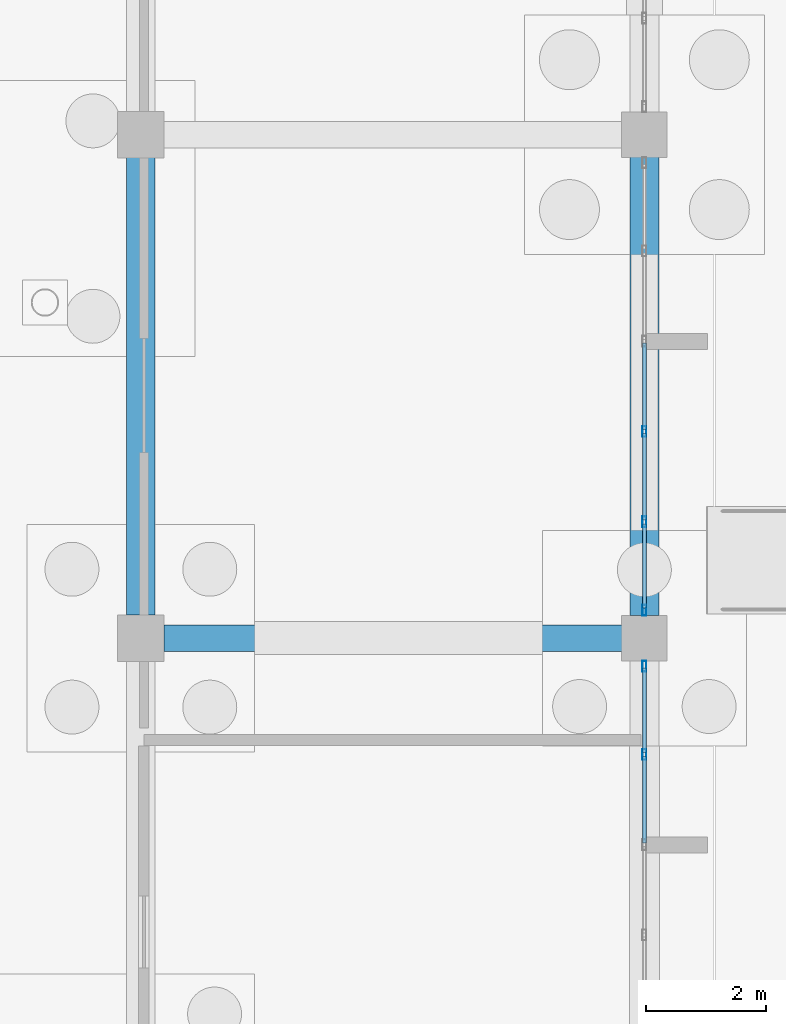
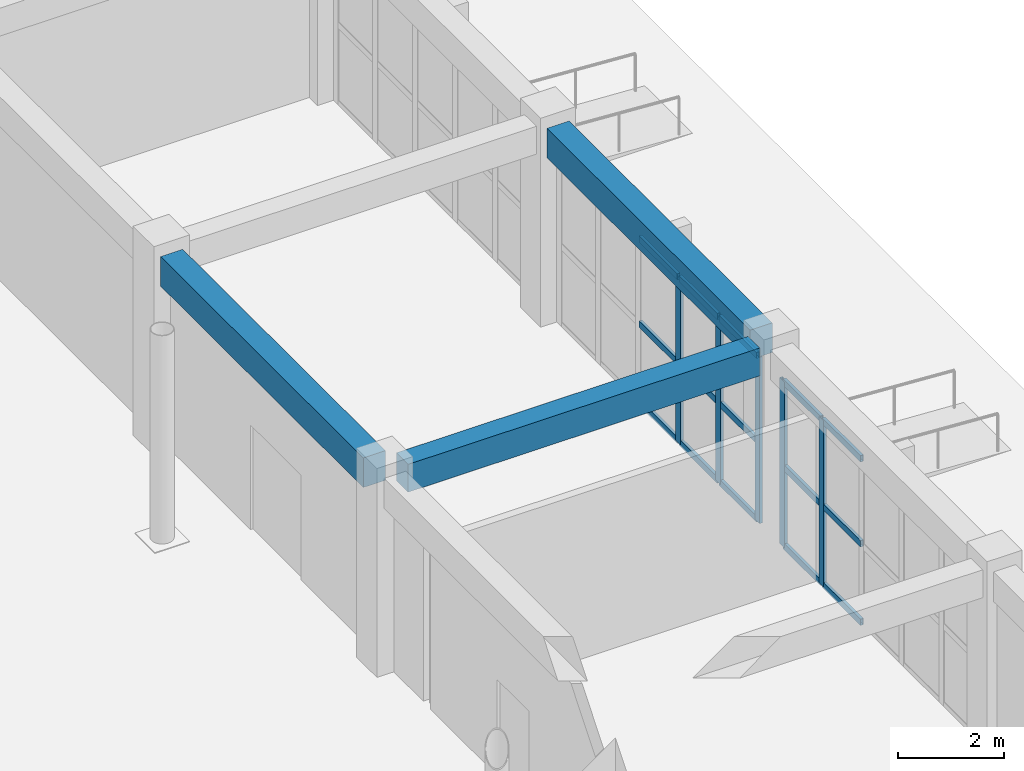
# One storey, part 128 of 192: 20 members, 3 beams, 2 elements without a shape of their own.
"""IFC4 building model written with IfcOpenShell, lengths in metres."""

from ifc_helpers import new_model, si_unit, direction, frame, origin, origin_2d, place, context, subcontext, project, spatial, rectangle, hollow_rectangle, extrude, material, layer, layer_set, material_profile, profile_set, type_object, element, aggregate, save


model = new_model("IFC4")

# Units and contexts
model_context = context("Model", 3, precision=1e-05, world=origin(), true_north=direction((0.0, 1.0)))
body_context = subcontext(model_context, "Body", "Model", "MODEL_VIEW")
ifc_project = project(units=[si_unit("LENGTHUNIT", "METRE"), si_unit("AREAUNIT", "SQUARE_METRE"), si_unit("VOLUMEUNIT", "CUBIC_METRE"), si_unit("PLANEANGLEUNIT", "RADIAN"), si_unit("MASSUNIT", "GRAM", prefix="KILO")], contexts=[model_context])

# Site, building, storey
site_placement = place(None, origin())
site = spatial("IfcSite", under=ifc_project, at=site_placement, CompositionType="ELEMENT")
building_placement = place(site_placement, origin())
building = spatial("IfcBuilding", under=site, at=building_placement, Name="Trelvath General Hospital", CompositionType="ELEMENT")
storey_placement = place(building_placement, origin())
storey = spatial("IfcBuildingStorey", under=building, at=storey_placement, Name="L00", CompositionType="ELEMENT", Elevation=0.0)

# Beams
ifc_material_1 = material(Name="Concrete C35/45", Category="concrete")
ifc_material_profile_1 = material_profile(ifc_material_1, rectangle(XDim=0.43994140625, YDim=0.639892578125, at=origin_2d()), Name="RCB440x640")
ifc_profile_set_1 = profile_set([ifc_material_profile_1], Name="Concrete C35/45")
beam_type_1 = type_object("IfcBeamType", Name="Beam RC440x640", PredefinedType="BEAM", material=ifc_profile_set_1)
beam_1_placement = place(storey_placement, frame((176.784912109375, 33.60009765625, 4.199951171875), z_axis=(1.0, 0.0, 0.0), x_axis=(0.0, 1.0, 0.0)))
element("IfcBeam", 1, at=beam_1_placement, inside=storey, type_object=beam_type_1, Name="Grid Beam BX-021E", PredefinedType="BEAM", context=body_context, shape_type="SweptSolid", body=[
    extrude(rectangle(XDim=0.43994140625, YDim=0.639892578125, at=origin_2d()), origin(), (0.0, 0.0, 1.0), 7.64013671875),
])
ifc_material_2 = material(Name="Concrete C35/45", Category="concrete")
ifc_material_profile_2 = material_profile(ifc_material_2, rectangle(XDim=0.47998046875, YDim=0.679931640625, at=origin_2d()), Name="RCB480x680")
ifc_profile_set_2 = profile_set([ifc_material_profile_2], Name="Concrete C35/45")
beam_type_2 = type_object("IfcBeamType", Name="Beam RC480x680", PredefinedType="BEAM", material=ifc_profile_set_2)
beam_2_placement = place(storey_placement, frame((176.39990234375, 33.985107421875, 4.179931640625), z_axis=(0.0, 1.0, 0.0), x_axis=(-1.0, 0.0, 0.0)))
element("IfcBeam", 2, at=beam_2_placement, inside=storey, type_object=beam_type_2, Name="Grid Beam BY-021E", PredefinedType="BEAM", context=body_context, shape_type="SweptSolid", body=[
    extrude(rectangle(XDim=0.47998046875, YDim=0.679931640625, at=origin_2d()), origin(), (0.0, 0.0, 1.0), 7.6298828125),
])
beam_3_placement = place(storey_placement, frame((184.800048828125, 33.97509765625, 4.179931640625), z_axis=(0.0, 1.0, 0.0), x_axis=(-1.0, 0.0, 0.0)))
element("IfcBeam", 3, at=beam_3_placement, inside=storey, type_object=beam_type_2, Name="Grid Beam BY-022E", PredefinedType="BEAM", context=body_context, shape_type="SweptSolid", body=[
    extrude(rectangle(XDim=0.47998046875, YDim=0.679931640625, at=origin_2d()), origin(), (0.0, 0.0, 1.0), 7.64990234375),
])

# Curtain wall, members
ifc_material_3 = material(Name="Anodised aluminium and low-E glass", Category="aluminium")
ifc_layer = layer(ifc_material_3, 0.179931640625)
ifc_layer_set = layer_set([ifc_layer], Name="Anodised aluminium and low-E glass")
curtain_wall_type = type_object("IfcCurtainWallType", Name="CW Facade 753 382 18", PredefinedType="USERDEFINED", material=ifc_layer_set)
curtain_wall_1_placement = place(storey_placement, origin())
curtain_wall_1 = element("IfcCurtainWall", 4, at=curtain_wall_1_placement, inside=storey, type_object=curtain_wall_type, Name="Facade Curtain Wall CW-009", ObjectType="Unitised Glazed Curtain Wall", PredefinedType="USERDEFINED")
ifc_material_4 = material(Name="Anodised aluminium", Category="aluminium")
ifc_material_profile_3 = material_profile(ifc_material_4, hollow_rectangle(XDim=0.06494140625, YDim=0.179931640625, WallThickness=0.0048828125, at=origin_2d()), Name="RHS65x180x5")
ifc_profile_set_3 = profile_set([ifc_material_profile_3], Name="Anodised aluminium")
member_type_1 = type_object("IfcMemberType", Name="CurtainMullion 65x180", PredefinedType="MULLION", material=ifc_profile_set_3)
member_1_placement = place(storey_placement, frame((184.800048828125, 33.132568359375, 0.0), z_axis=(0.0, 0.0, 1.0), x_axis=(1.0, 0.0, 0.0)))
member_1 = element("IfcMember", 5, at=member_1_placement, type_object=member_type_1, Name="CW-009 mullion 1", PredefinedType="MULLION", context=body_context, shape_type="SweptSolid", body=[
    extrude(hollow_rectangle(XDim=0.06494140625, YDim=0.179931640625, WallThickness=0.0048828125, at=origin_2d()), origin(), (0.0, 0.0, 1.0), 3.820068359375),
])
member_2_placement = place(storey_placement, frame((184.800048828125, 31.658935546875, 0.0), z_axis=(0.0, 0.0, 1.0), x_axis=(1.0, 0.0, 0.0)))
member_2 = element("IfcMember", 6, at=member_2_placement, type_object=member_type_1, Name="CW-009 mullion 2", PredefinedType="MULLION", context=body_context, shape_type="SweptSolid", body=[
    extrude(hollow_rectangle(XDim=0.06494140625, YDim=0.179931640625, WallThickness=0.0048828125, at=origin_2d()), origin(), (0.0, 0.0, 1.0), 3.820068359375),
])

curtain_wall_2_placement = place(storey_placement, origin())
curtain_wall_2 = element("IfcCurtainWall", 7, at=curtain_wall_2_placement, inside=storey, type_object=curtain_wall_type, Name="Facade Curtain Wall CW-010", ObjectType="Unitised Glazed Curtain Wall", PredefinedType="USERDEFINED")
member_3_placement = place(storey_placement, frame((184.800048828125, 37.047119140625, 0.0), z_axis=(0.0, 0.0, 1.0), x_axis=(1.0, 0.0, 0.0)))
member_3 = element("IfcMember", 8, at=member_3_placement, type_object=member_type_1, Name="CW-010 mullion 4", PredefinedType="MULLION", context=body_context, shape_type="SweptSolid", body=[
    extrude(hollow_rectangle(XDim=0.06494140625, YDim=0.179931640625, WallThickness=0.0048828125, at=origin_2d()), origin(), (0.0, 0.0, 1.0), 3.820068359375),
])
member_4_placement = place(storey_placement, frame((184.800048828125, 35.541015625, 0.0), z_axis=(0.0, 0.0, 1.0), x_axis=(1.0, 0.0, 0.0)))
member_4 = element("IfcMember", 9, at=member_4_placement, type_object=member_type_1, Name="CW-010 mullion 5", PredefinedType="MULLION", context=body_context, shape_type="SweptSolid", body=[
    extrude(hollow_rectangle(XDim=0.06494140625, YDim=0.179931640625, WallThickness=0.0048828125, at=origin_2d()), origin(), (0.0, 0.0, 1.0), 3.820068359375),
])
member_5_placement = place(storey_placement, frame((184.800048828125, 34.0673828125, 0.0), z_axis=(0.0, 0.0, 1.0), x_axis=(1.0, 0.0, 0.0)))
member_5 = element("IfcMember", 10, at=member_5_placement, type_object=member_type_1, Name="CW-010 mullion 6", PredefinedType="MULLION", context=body_context, shape_type="SweptSolid", body=[
    extrude(hollow_rectangle(XDim=0.06494140625, YDim=0.179931640625, WallThickness=0.0048828125, at=origin_2d()), origin(), (0.0, 0.0, 1.0), 3.820068359375),
])

# Member
ifc_material_5 = material(Name="Anodised aluminium", Category="aluminium")
ifc_material_profile_4 = material_profile(ifc_material_5, hollow_rectangle(XDim=0.06494140625, YDim=0.14501953125, WallThickness=0.00390625, at=origin_2d()), Name="RHS65x145x4")
ifc_profile_set_4 = profile_set([ifc_material_profile_4], Name="Anodised aluminium")
member_type_2 = type_object("IfcMemberType", Name="CurtainTransom 65x145", PredefinedType="USERDEFINED", material=ifc_profile_set_4)
member_6_placement = place(storey_placement, frame((184.800048828125, 33.10009765625, 0.032470703125), z_axis=(0.0, -1.0, 0.0), x_axis=(1.0, 0.0, 0.0)))
member_6 = element("IfcMember", 11, at=member_6_placement, type_object=member_type_2, Name="CW-009 transom 1.1", ObjectType="TRANSOM", PredefinedType="USERDEFINED", context=body_context, shape_type="SweptSolid", body=[
    extrude(hollow_rectangle(XDim=0.06494140625, YDim=0.14501953125, WallThickness=0.00390625, at=origin_2d()), origin(), (0.0, 0.0, 1.0), 1.40869140625),
])

member_7_placement = place(storey_placement, frame((184.800048828125, 33.10009765625, 1.833984375), z_axis=(0.0, -1.0, 0.0), x_axis=(1.0, 0.0, 0.0)))
member_7 = element("IfcMember", 12, at=member_7_placement, type_object=member_type_2, Name="CW-009 transom 1.2", ObjectType="TRANSOM", PredefinedType="USERDEFINED", context=body_context, shape_type="SweptSolid", body=[
    extrude(hollow_rectangle(XDim=0.06494140625, YDim=0.14501953125, WallThickness=0.00390625, at=origin_2d()), origin(), (0.0, 0.0, 1.0), 1.40869140625),
])

member_8_placement = place(storey_placement, frame((184.800048828125, 33.10009765625, 3.78759765625), z_axis=(0.0, -1.0, 0.0), x_axis=(1.0, 0.0, 0.0)))
member_8 = element("IfcMember", 13, at=member_8_placement, type_object=member_type_2, Name="CW-009 transom 1.3", ObjectType="TRANSOM", PredefinedType="USERDEFINED", context=body_context, shape_type="SweptSolid", body=[
    extrude(hollow_rectangle(XDim=0.06494140625, YDim=0.14501953125, WallThickness=0.00390625, at=origin_2d()), origin(), (0.0, 0.0, 1.0), 1.40869140625),
])

member_9_placement = place(storey_placement, frame((184.800048828125, 31.62646484375, 0.032470703125), z_axis=(0.0, -1.0, 0.0), x_axis=(1.0, 0.0, 0.0)))
member_9 = element("IfcMember", 14, at=member_9_placement, type_object=member_type_2, Name="CW-009 transom 2.1", ObjectType="TRANSOM", PredefinedType="USERDEFINED", context=body_context, shape_type="SweptSolid", body=[
    extrude(hollow_rectangle(XDim=0.06494140625, YDim=0.14501953125, WallThickness=0.00390625, at=origin_2d()), origin(), (0.0, 0.0, 1.0), 1.44091796875),
])

member_10_placement = place(storey_placement, frame((184.800048828125, 31.62646484375, 1.833984375), z_axis=(0.0, -1.0, 0.0), x_axis=(1.0, 0.0, 0.0)))
member_10 = element("IfcMember", 15, at=member_10_placement, type_object=member_type_2, Name="CW-009 transom 2.2", ObjectType="TRANSOM", PredefinedType="USERDEFINED", context=body_context, shape_type="SweptSolid", body=[
    extrude(hollow_rectangle(XDim=0.06494140625, YDim=0.14501953125, WallThickness=0.00390625, at=origin_2d()), origin(), (0.0, 0.0, 1.0), 1.44091796875),
])

member_11_placement = place(storey_placement, frame((184.800048828125, 31.62646484375, 3.78759765625), z_axis=(0.0, -1.0, 0.0), x_axis=(1.0, 0.0, 0.0)))
member_11 = element("IfcMember", 16, at=member_11_placement, type_object=member_type_2, Name="CW-009 transom 2.3", ObjectType="TRANSOM", PredefinedType="USERDEFINED", context=body_context, shape_type="SweptSolid", body=[
    extrude(hollow_rectangle(XDim=0.06494140625, YDim=0.14501953125, WallThickness=0.00390625, at=origin_2d()), origin(), (0.0, 0.0, 1.0), 1.44091796875),
])

aggregate(curtain_wall_1, [member_1, member_2, member_6, member_7, member_8, member_9, member_10, member_11])

member_12_placement = place(storey_placement, frame((184.800048828125, 38.5205078125, 0.032470703125), z_axis=(0.0, -1.0, 0.0), x_axis=(1.0, 0.0, 0.0)))
member_12 = element("IfcMember", 17, at=member_12_placement, type_object=member_type_2, Name="CW-010 transom 3.1", ObjectType="TRANSOM", PredefinedType="USERDEFINED", context=body_context, shape_type="SweptSolid", body=[
    extrude(hollow_rectangle(XDim=0.06494140625, YDim=0.14501953125, WallThickness=0.00390625, at=origin_2d()), origin(), (0.0, 0.0, 1.0), 1.44091796875),
])

member_13_placement = place(storey_placement, frame((184.800048828125, 38.5205078125, 1.833984375), z_axis=(0.0, -1.0, 0.0), x_axis=(1.0, 0.0, 0.0)))
member_13 = element("IfcMember", 18, at=member_13_placement, type_object=member_type_2, Name="CW-010 transom 3.2", ObjectType="TRANSOM", PredefinedType="USERDEFINED", context=body_context, shape_type="SweptSolid", body=[
    extrude(hollow_rectangle(XDim=0.06494140625, YDim=0.14501953125, WallThickness=0.00390625, at=origin_2d()), origin(), (0.0, 0.0, 1.0), 1.44091796875),
])

member_14_placement = place(storey_placement, frame((184.800048828125, 38.5205078125, 3.78759765625), z_axis=(0.0, -1.0, 0.0), x_axis=(1.0, 0.0, 0.0)))
member_14 = element("IfcMember", 19, at=member_14_placement, type_object=member_type_2, Name="CW-010 transom 3.3", ObjectType="TRANSOM", PredefinedType="USERDEFINED", context=body_context, shape_type="SweptSolid", body=[
    extrude(hollow_rectangle(XDim=0.06494140625, YDim=0.14501953125, WallThickness=0.00390625, at=origin_2d()), origin(), (0.0, 0.0, 1.0), 1.44091796875),
])

member_15_placement = place(storey_placement, frame((184.800048828125, 37.014404296875, 0.032470703125), z_axis=(0.0, -1.0, 0.0), x_axis=(1.0, 0.0, 0.0)))
member_15 = element("IfcMember", 20, at=member_15_placement, type_object=member_type_2, Name="CW-010 transom 4.1", ObjectType="TRANSOM", PredefinedType="USERDEFINED", context=body_context, shape_type="SweptSolid", body=[
    extrude(hollow_rectangle(XDim=0.06494140625, YDim=0.14501953125, WallThickness=0.00390625, at=origin_2d()), origin(), (0.0, 0.0, 1.0), 1.44091796875),
])

member_16_placement = place(storey_placement, frame((184.800048828125, 37.014404296875, 1.833984375), z_axis=(0.0, -1.0, 0.0), x_axis=(1.0, 0.0, 0.0)))
member_16 = element("IfcMember", 21, at=member_16_placement, type_object=member_type_2, Name="CW-010 transom 4.2", ObjectType="TRANSOM", PredefinedType="USERDEFINED", context=body_context, shape_type="SweptSolid", body=[
    extrude(hollow_rectangle(XDim=0.06494140625, YDim=0.14501953125, WallThickness=0.00390625, at=origin_2d()), origin(), (0.0, 0.0, 1.0), 1.44091796875),
])

member_17_placement = place(storey_placement, frame((184.800048828125, 37.014404296875, 3.78759765625), z_axis=(0.0, -1.0, 0.0), x_axis=(1.0, 0.0, 0.0)))
member_17 = element("IfcMember", 22, at=member_17_placement, type_object=member_type_2, Name="CW-010 transom 4.3", ObjectType="TRANSOM", PredefinedType="USERDEFINED", context=body_context, shape_type="SweptSolid", body=[
    extrude(hollow_rectangle(XDim=0.06494140625, YDim=0.14501953125, WallThickness=0.00390625, at=origin_2d()), origin(), (0.0, 0.0, 1.0), 1.44091796875),
])

member_18_placement = place(storey_placement, frame((184.800048828125, 35.508544921875, 0.032470703125), z_axis=(0.0, -1.0, 0.0), x_axis=(1.0, 0.0, 0.0)))
member_18 = element("IfcMember", 23, at=member_18_placement, type_object=member_type_2, Name="CW-010 transom 5.1", ObjectType="TRANSOM", PredefinedType="USERDEFINED", context=body_context, shape_type="SweptSolid", body=[
    extrude(hollow_rectangle(XDim=0.06494140625, YDim=0.14501953125, WallThickness=0.00390625, at=origin_2d()), origin(), (0.0, 0.0, 1.0), 1.408447265625),
])

member_19_placement = place(storey_placement, frame((184.800048828125, 35.508544921875, 1.833984375), z_axis=(0.0, -1.0, 0.0), x_axis=(1.0, 0.0, 0.0)))
member_19 = element("IfcMember", 24, at=member_19_placement, type_object=member_type_2, Name="CW-010 transom 5.2", ObjectType="TRANSOM", PredefinedType="USERDEFINED", context=body_context, shape_type="SweptSolid", body=[
    extrude(hollow_rectangle(XDim=0.06494140625, YDim=0.14501953125, WallThickness=0.00390625, at=origin_2d()), origin(), (0.0, 0.0, 1.0), 1.408447265625),
])

member_20_placement = place(storey_placement, frame((184.800048828125, 35.508544921875, 3.78759765625), z_axis=(0.0, -1.0, 0.0), x_axis=(1.0, 0.0, 0.0)))
member_20 = element("IfcMember", 25, at=member_20_placement, type_object=member_type_2, Name="CW-010 transom 5.3", ObjectType="TRANSOM", PredefinedType="USERDEFINED", context=body_context, shape_type="SweptSolid", body=[
    extrude(hollow_rectangle(XDim=0.06494140625, YDim=0.14501953125, WallThickness=0.00390625, at=origin_2d()), origin(), (0.0, 0.0, 1.0), 1.408447265625),
])

aggregate(curtain_wall_2, [member_3, member_4, member_5, member_12, member_13, member_14, member_15, member_16, member_17, member_18, member_19, member_20])

save(model, "model.ifc")
